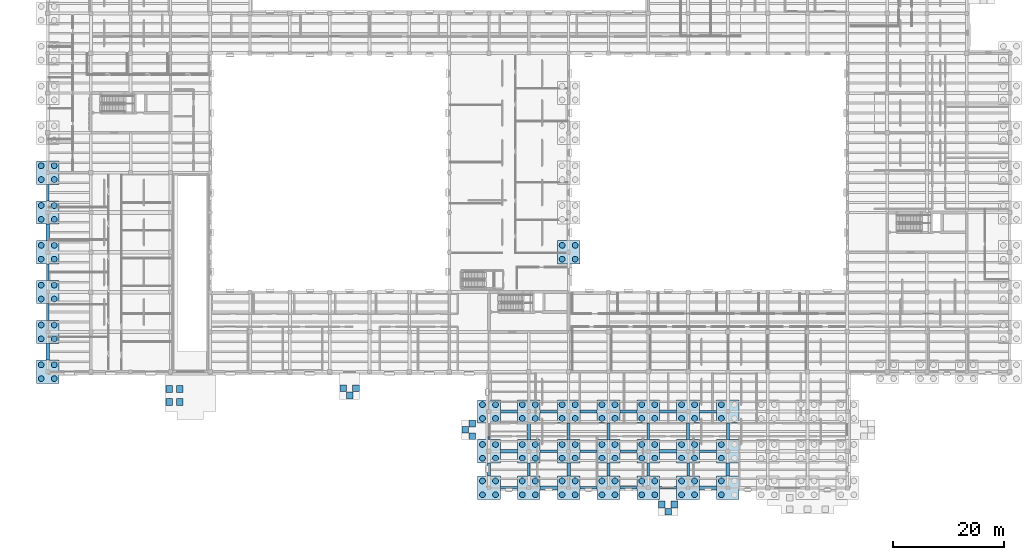
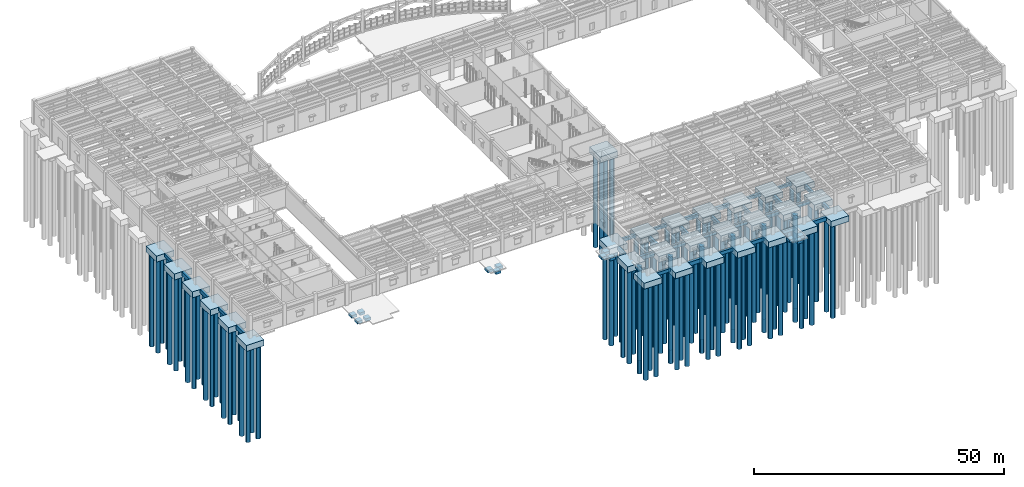
# One storey, part 1 of 100: 106 piles, 78 footings.
"""IFC4 building model written with IfcOpenShell, lengths in metres."""

import ifcopenshell
import ifcopenshell.guid

model = None  # the IFC model being written
_history = None  # IfcOwnerHistory: only IFC2X3 demands one
_inside = {}  # id of a spatial element -> (the spatial element, [elements in it])
_under = {}  # id of a project, library or spatial element -> (it, [spatial elements below it])
_declared = {}  # id of a project -> (the project, [libraries it declares])
_typed = {}  # id of a type object -> (the type object, [elements of that type])
_made_of = {}  # id of a material, layer set ... -> (it, [elements and type objects made of it])


def new_model(schema):
    """Start an empty IFC model of exactly this schema.

    Asked for "IFC4X3", IfcOpenShell would pick the latest addendum, in which some entities
    have other attributes; the version numbers below select the first issue.
    IFC2X3 requires an IfcOwnerHistory on every rooted entity: one is made here for all.
    """
    global model, _history
    if schema == "IFC4X3":
        model = ifcopenshell.file(schema_version=(4, 3, 0, 0))
    else:
        model = ifcopenshell.file(schema=schema)
    _inside.clear()
    _under.clear()
    _declared.clear()
    _typed.clear()
    _made_of.clear()
    _history = None
    if model.schema == "IFC2X3":
        org = make("IfcOrganization", Name="unknown")
        user = make(
            "IfcPersonAndOrganization",
            ThePerson=make("IfcPerson", FamilyName="unknown"),
            TheOrganization=org,
        )
        app = make(
            "IfcApplication",
            ApplicationDeveloper=org,
            Version="unknown",
            ApplicationFullName="unknown",
            ApplicationIdentifier="unknown",
        )
        _history = make(
            "IfcOwnerHistory",
            OwningUser=user,
            OwningApplication=app,
            ChangeAction="ADDED",
            CreationDate=0,
        )
    return model


def make(cls, **values):
    """One entity of the class cls with the attributes given. An attribute that is None is left unset."""
    return model.create_entity(
        cls, **{name: value for name, value in values.items() if value is not None}
    )


def rooted(cls, **values):
    """An entity with a GlobalId (a new one), such as an element, a storey or a relation."""
    return make(cls, GlobalId=ifcopenshell.guid.new(), OwnerHistory=_history, **values)


def si_unit(unit_type, name, prefix=None):
    """IfcSIUnit, for example si_unit("LENGTHUNIT", "METRE", prefix="MILLI")."""
    return make("IfcSIUnit", UnitType=unit_type, Prefix=prefix, Name=name)


def assignment(units):
    """IfcUnitAssignment: the units of a project."""
    return None if units is None else make("IfcUnitAssignment", Units=units)


def point(xyz):
    """IfcCartesianPoint."""
    return None if xyz is None else make("IfcCartesianPoint", Coordinates=xyz)


def direction(xyz):
    """IfcDirection."""
    return None if xyz is None else make("IfcDirection", DirectionRatios=xyz)


def frame(location, z_axis=None, x_axis=None):
    """IfcAxis2Placement3D, a coordinate frame: its origin and axes. An axis left out is left unset."""
    return make(
        "IfcAxis2Placement3D",
        Location=point(location),
        Axis=direction(z_axis),
        RefDirection=direction(x_axis),
    )


def frame_2d(location, x_axis=None):
    """IfcAxis2Placement2D, a coordinate frame in the plane: its origin and x axis."""
    return make(
        "IfcAxis2Placement2D", Location=point(location), RefDirection=direction(x_axis)
    )


def origin():
    """The frame at (0, 0, 0) with its axes left unset."""
    return frame((0.0, 0.0, 0.0))


def origin_2d():
    """The frame at (0, 0) in the plane with its x axis left unset."""
    return frame_2d((0.0, 0.0))


def place(relative_to, where):
    """IfcLocalPlacement: puts the frame where relative to a parent placement (None: the world)."""
    return make(
        "IfcLocalPlacement", PlacementRelTo=relative_to, RelativePlacement=where
    )


def context(
    kind, dimensions, precision=None, world=None, true_north=None, identifier=None
):
    """IfcGeometricRepresentationContext, for example the 3D "Model" context."""
    return make(
        "IfcGeometricRepresentationContext",
        ContextIdentifier=identifier,
        ContextType=kind,
        CoordinateSpaceDimension=dimensions,
        Precision=precision,
        WorldCoordinateSystem=world,
        TrueNorth=true_north,
    )


def subcontext(parent, identifier, kind, view, scale=None):
    """IfcGeometricRepresentationSubContext, for example "Body" below "Model"."""
    return make(
        "IfcGeometricRepresentationSubContext",
        ContextIdentifier=identifier,
        ContextType=kind,
        ParentContext=parent,
        TargetScale=scale,
        TargetView=view,
    )


def project(units=None, contexts=None):
    """IfcProject with its units and contexts."""
    return rooted(
        "IfcProject",
        Name="project",
        RepresentationContexts=contexts,
        UnitsInContext=assignment(units),
    )


def spatial(cls, under=None, at=None, **own):
    """A site, building, storey or space (cls), placed at a placement, below another one or the project."""
    s = rooted(cls, ObjectPlacement=at, **own)
    if under is not None:
        _under.setdefault(under.id(), (under, []))[1].append(s)
    return s


def profile(cls, at=None, kind="AREA", **sizes):
    """A parametric profile (cls). Its sizes go by their IFC names, for example OverallWidth=200.0."""
    return make(cls, ProfileType=kind, Position=at, **sizes)


def rectangle(**sizes):
    """IfcRectangleProfileDef."""
    return profile("IfcRectangleProfileDef", **sizes)


def circle(**sizes):
    """IfcCircleProfileDef."""
    return profile("IfcCircleProfileDef", **sizes)


def extrude(swept, where, along, depth):
    """IfcExtrudedAreaSolid: the profile swept, set in the frame where, extruded along a direction by depth."""
    return make(
        "IfcExtrudedAreaSolid",
        SweptArea=swept,
        Position=where,
        ExtrudedDirection=direction(along),
        Depth=depth,
    )


def shape(context_of_items, identifier, shape_type, items):
    """IfcShapeRepresentation: the items that make up one representation, for example the "Body"."""
    return make(
        "IfcShapeRepresentation",
        ContextOfItems=context_of_items,
        RepresentationIdentifier=identifier,
        RepresentationType=shape_type,
        Items=items,
    )


def material(Name=None, Category=None):
    """IfcMaterial."""
    return make("IfcMaterial", Name=Name, Category=Category)


def material_profile(
    of_material, cross_section, Name=None, Category=None, Priority=None
):
    """IfcMaterialProfile: a cross section and its material."""
    return make(
        "IfcMaterialProfile",
        Name=Name,
        Material=of_material,
        Profile=cross_section,
        Priority=Priority,
        Category=Category,
    )


def profile_set(profiles, Name=None, composite=None):
    """IfcMaterialProfileSet."""
    return make(
        "IfcMaterialProfileSet",
        Name=Name,
        MaterialProfiles=profiles,
        CompositeProfile=composite,
    )


def made_of(thing, what):
    """Note that an element or type object is made of a material, layer set ...; save() writes the relation."""
    if what is not None:
        _made_of.setdefault(what.id(), (what, []))[1].append(thing)
    return thing


def type_object(cls, material=None, **own):
    """A type object (cls), such as IfcWallType, which elements share."""
    return made_of(rooted(cls, **own), material)


def element(
    cls,
    number,
    at=None,
    inside=None,
    cuts=None,
    type_object=None,
    material=None,
    context=None,
    identifier="Body",
    shape_type=None,
    held_by="IfcProductDefinitionShape",
    body=None,
    shapes=None,
    **own,
):
    """One element of the class cls, such as IfcWall. Its Tag is "e" and its number.

    at: its placement. inside: the storey or other place that contains it. cuts: it is an
    opening in that element (IfcRelVoidsElement). A single representation is given by context,
    identifier, shape_type and body (its items); several are given by shapes. held_by: the class
    of the entity that holds the representations. save() writes the other relations.
    """
    e = rooted(cls, Tag="e%d" % number, ObjectPlacement=at, **own)
    if body is not None:
        shapes = [shape(context, identifier, shape_type, body)]
    if shapes is not None:
        e.Representation = make(held_by, Representations=shapes)
    if inside is not None:
        _inside.setdefault(inside.id(), (inside, []))[1].append(e)
    if cuts is not None:
        rooted(
            "IfcRelVoidsElement", RelatingBuildingElement=cuts, RelatedOpeningElement=e
        )
    if type_object is not None:
        _typed.setdefault(type_object.id(), (type_object, []))[1].append(e)
    return made_of(e, material)


def aggregate(whole, parts):
    """IfcRelAggregates: a whole, such as a stair, and the parts it consists of."""
    return rooted("IfcRelAggregates", RelatingObject=whole, RelatedObjects=parts)


def save(model, path):
    """Write the relations noted so far, then the file.

    IfcRelAggregates (storeys below a building ...), IfcRelContainedInSpatialStructure (elements
    in a storey), IfcRelDefinesByType, IfcRelAssociatesMaterial and IfcRelDeclares: one each for
    every whole, place, type object, material and project.
    """
    for whole, parts in _under.values():
        aggregate(whole, parts)
    for where, things in _inside.values():
        rooted(
            "IfcRelContainedInSpatialStructure",
            RelatedElements=things,
            RelatingStructure=where,
        )
    for kind, things in _typed.values():
        rooted("IfcRelDefinesByType", RelatedObjects=things, RelatingType=kind)
    for what, things in _made_of.values():
        rooted("IfcRelAssociatesMaterial", RelatedObjects=things, RelatingMaterial=what)
    for by, libraries in _declared.values():
        rooted("IfcRelDeclares", RelatingContext=by, RelatedDefinitions=libraries)
    model.write(path)


model = new_model("IFC4")

# Units and contexts
model_context = context("Model", 3, precision=1e-05, world=origin(), true_north=direction((0.0, 1.0)))
body_context = subcontext(model_context, "Body", "Model", "MODEL_VIEW")
ifc_project = project(units=[si_unit("LENGTHUNIT", "METRE"), si_unit("AREAUNIT", "SQUARE_METRE"), si_unit("VOLUMEUNIT", "CUBIC_METRE"), si_unit("PLANEANGLEUNIT", "RADIAN"), si_unit("MASSUNIT", "GRAM", prefix="KILO")], contexts=[model_context])

# Site, building, storey
site_placement = place(None, origin())
site = spatial("IfcSite", under=ifc_project, at=site_placement, CompositionType="ELEMENT")
building_placement = place(site_placement, origin())
building = spatial("IfcBuilding", under=site, at=building_placement, Name="Mithqara Police Headquarters", CompositionType="ELEMENT")
storey_placement = place(building_placement, origin())
storey = spatial("IfcBuildingStorey", under=building, at=storey_placement, Name="L00", CompositionType="ELEMENT", Elevation=0.0)

# Footings
ifc_material = material(Name="Concrete C40/50", Category="concrete")
footing_type_1 = type_object("IfcFootingType", Name="GROUND BEAM 450X750", PredefinedType="FOOTING_BEAM", material=ifc_material)
for number, where, z_axis, x_axis, name in (
    (1, (0.0, 31.800048828125, -1.070068359375), (0.0, 0.0, 1.0), (1.0, 0.0, 0.0), "L00 Ground Tie Beam 1/E-F"),
    (2, (0.0, 53.39990234375, -1.070068359375), (0.0, 0.0, 1.0), (1.0, 0.0, 0.0), "L00 Ground Tie Beam 1/H-J"),
):
    element("IfcFooting", number, at=place(storey_placement, frame(where, z_axis=z_axis, x_axis=x_axis)), inside=storey, type_object=footing_type_1, Name=name, PredefinedType="FOOTING_BEAM", context=body_context, shape_type="SweptSolid", body=[
        extrude(rectangle(XDim=0.449951171875, YDim=3.0, at=origin_2d()), origin(), (0.0, 0.0, 1.0), 0.75),
    ])
footing_1_placement = place(storey_placement, frame((83.39990234375, 0.0, -1.070068359375), z_axis=(0.0, 0.0, 1.0), x_axis=(1.0, 0.0, 0.0)))
element("IfcFooting", 3, at=footing_1_placement, inside=storey, type_object=footing_type_1, Name="L00 Ground Tie Beam 12-13/A", PredefinedType="FOOTING_BEAM", context=body_context, shape_type="SweptSolid", body=[
    extrude(rectangle(XDim=3.10009765625, YDim=0.449951171875, at=origin_2d()), origin(), (0.0, 0.0, 1.0), 0.75),
])
footing_2_placement = place(storey_placement, frame((79.800048828125, 10.199951171875, -1.070068359375), z_axis=(0.0, 0.0, 1.0), x_axis=(1.0, 0.0, 0.0)))
element("IfcFooting", 4, at=footing_2_placement, inside=storey, type_object=footing_type_1, Name="L00 Ground Tie Beam 12/B-C", PredefinedType="FOOTING_BEAM", context=body_context, shape_type="SweptSolid", body=[
    extrude(rectangle(XDim=0.449951171875, YDim=3.0, at=origin_2d()), origin(), (0.0, 0.0, 1.0), 0.75),
])
footing_3_placement = place(storey_placement, frame((87.0, 3.300048828125, -1.070068359375), z_axis=(0.0, 0.0, 1.0), x_axis=(1.0, 0.0, 0.0)))
element("IfcFooting", 5, at=footing_3_placement, inside=storey, type_object=footing_type_1, Name="L00 Ground Tie Beam 13/A-B", PredefinedType="FOOTING_BEAM", context=body_context, shape_type="SweptSolid", body=[
    extrude(rectangle(XDim=0.449951171875, YDim=2.39990234375, at=origin_2d()), origin(), (0.0, 0.0, 1.0), 0.75),
])
for number, where, z_axis, x_axis, name in (
    (6, (90.60009765625, 13.800048828125, -1.070068359375), (0.0, 0.0, 1.0), (1.0, 0.0, 0.0), "L00 Ground Tie Beam 13-14/C"),
    (7, (97.800048828125, 6.60009765625, -1.070068359375), (0.0, 0.0, 1.0), (1.0, 0.0, 0.0), "L00 Ground Tie Beam 14-15/B"),
    (8, (105.0, 6.60009765625, -1.070068359375), (0.0, 0.0, 1.0), (1.0, 0.0, 0.0), "L00 Ground Tie Beam 15-16/B"),
    (9, (112.199951171875, 0.0, -1.070068359375), (0.0, 0.0, 1.0), (1.0, 0.0, 0.0), "L00 Ground Tie Beam 16-17/A"),
):
    element("IfcFooting", number, at=place(storey_placement, frame(where, z_axis=z_axis, x_axis=x_axis)), inside=storey, type_object=footing_type_1, Name=name, PredefinedType="FOOTING_BEAM", context=body_context, shape_type="SweptSolid", body=[
        extrude(rectangle(XDim=3.10009765625, YDim=0.449951171875, at=origin_2d()), origin(), (0.0, 0.0, 1.0), 0.75),
    ])
footing_4_placement = place(storey_placement, frame((108.60009765625, 10.199951171875, -1.070068359375), z_axis=(0.0, 0.0, 1.0), x_axis=(1.0, 0.0, 0.0)))
element("IfcFooting", 10, at=footing_4_placement, inside=storey, type_object=footing_type_1, Name="L00 Ground Tie Beam 16/B-C", PredefinedType="FOOTING_BEAM", context=body_context, shape_type="SweptSolid", body=[
    extrude(rectangle(XDim=0.449951171875, YDim=3.0, at=origin_2d()), origin(), (0.0, 0.0, 1.0), 0.75),
])
footing_5_placement = place(storey_placement, frame((115.800048828125, 3.300048828125, -1.070068359375), z_axis=(0.0, 0.0, 1.0), x_axis=(1.0, 0.0, 0.0)))
element("IfcFooting", 11, at=footing_5_placement, inside=storey, type_object=footing_type_1, Name="L00 Ground Tie Beam 17/A-B", PredefinedType="FOOTING_BEAM", context=body_context, shape_type="SweptSolid", body=[
    extrude(rectangle(XDim=0.449951171875, YDim=2.39990234375, at=origin_2d()), origin(), (0.0, 0.0, 1.0), 0.75),
])
footing_6_placement = place(storey_placement, frame((119.39990234375, 13.800048828125, -1.070068359375), z_axis=(0.0, 0.0, 1.0), x_axis=(1.0, 0.0, 0.0)))
element("IfcFooting", 12, at=footing_6_placement, inside=storey, type_object=footing_type_1, Name="L00 Ground Tie Beam 17-18/C", PredefinedType="FOOTING_BEAM", context=body_context, shape_type="SweptSolid", body=[
    extrude(rectangle(XDim=3.10009765625, YDim=0.449951171875, at=origin_2d()), origin(), (0.0, 0.0, 1.0), 0.75),
])
footing_type_2 = type_object("IfcFootingType", Name="GROUND BEAM 500X850", PredefinedType="FOOTING_BEAM", material=ifc_material)
footing_7_placement = place(storey_placement, frame((0.0, 39.0, -1.170166015625), z_axis=(0.0, 0.0, 1.0), x_axis=(1.0, 0.0, 0.0)))
element("IfcFooting", 13, at=footing_7_placement, inside=storey, type_object=footing_type_2, Name="L00 Ground Tie Beam 1/F-G", PredefinedType="FOOTING_BEAM", context=body_context, shape_type="SweptSolid", body=[
    extrude(rectangle(XDim=0.5, YDim=3.0, at=origin_2d()), origin(), (0.0, 0.0, 1.0), 0.85009765625),
])
footing_8_placement = place(storey_placement, frame((79.800048828125, 3.300048828125, -1.170166015625), z_axis=(0.0, 0.0, 1.0), x_axis=(1.0, 0.0, 0.0)))
element("IfcFooting", 14, at=footing_8_placement, inside=storey, type_object=footing_type_2, Name="L00 Ground Tie Beam 12/A-B", PredefinedType="FOOTING_BEAM", context=body_context, shape_type="SweptSolid", body=[
    extrude(rectangle(XDim=0.5, YDim=2.39990234375, at=origin_2d()), origin(), (0.0, 0.0, 1.0), 0.85009765625),
])
for number, where, z_axis, x_axis, name in (
    (15, (83.39990234375, 13.800048828125, -1.170166015625), (0.0, 0.0, 1.0), (1.0, 0.0, 0.0), "L00 Ground Tie Beam 12-13/C"),
    (16, (90.60009765625, 6.60009765625, -1.170166015625), (0.0, 0.0, 1.0), (1.0, 0.0, 0.0), "L00 Ground Tie Beam 13-14/B"),
    (17, (97.800048828125, 0.0, -1.170166015625), (0.0, 0.0, 1.0), (1.0, 0.0, 0.0), "L00 Ground Tie Beam 14-15/A"),
):
    element("IfcFooting", number, at=place(storey_placement, frame(where, z_axis=z_axis, x_axis=x_axis)), inside=storey, type_object=footing_type_2, Name=name, PredefinedType="FOOTING_BEAM", context=body_context, shape_type="SweptSolid", body=[
        extrude(rectangle(XDim=3.10009765625, YDim=0.5, at=origin_2d()), origin(), (0.0, 0.0, 1.0), 0.85009765625),
    ])
footing_9_placement = place(storey_placement, frame((94.199951171875, 10.199951171875, -1.170166015625), z_axis=(0.0, 0.0, 1.0), x_axis=(1.0, 0.0, 0.0)))
element("IfcFooting", 18, at=footing_9_placement, inside=storey, type_object=footing_type_2, Name="L00 Ground Tie Beam 14/B-C", PredefinedType="FOOTING_BEAM", context=body_context, shape_type="SweptSolid", body=[
    extrude(rectangle(XDim=0.5, YDim=3.0, at=origin_2d()), origin(), (0.0, 0.0, 1.0), 0.85009765625),
])
footing_10_placement = place(storey_placement, frame((105.0, 0.0, -1.170166015625), z_axis=(0.0, 0.0, 1.0), x_axis=(1.0, 0.0, 0.0)))
element("IfcFooting", 19, at=footing_10_placement, inside=storey, type_object=footing_type_2, Name="L00 Ground Tie Beam 15-16/A", PredefinedType="FOOTING_BEAM", context=body_context, shape_type="SweptSolid", body=[
    extrude(rectangle(XDim=3.10009765625, YDim=0.5, at=origin_2d()), origin(), (0.0, 0.0, 1.0), 0.85009765625),
])
footing_11_placement = place(storey_placement, frame((101.39990234375, 10.199951171875, -1.170166015625), z_axis=(0.0, 0.0, 1.0), x_axis=(1.0, 0.0, 0.0)))
element("IfcFooting", 20, at=footing_11_placement, inside=storey, type_object=footing_type_2, Name="L00 Ground Tie Beam 15/B-C", PredefinedType="FOOTING_BEAM", context=body_context, shape_type="SweptSolid", body=[
    extrude(rectangle(XDim=0.5, YDim=3.0, at=origin_2d()), origin(), (0.0, 0.0, 1.0), 0.85009765625),
])
footing_12_placement = place(storey_placement, frame((108.60009765625, 3.300048828125, -1.170166015625), z_axis=(0.0, 0.0, 1.0), x_axis=(1.0, 0.0, 0.0)))
element("IfcFooting", 21, at=footing_12_placement, inside=storey, type_object=footing_type_2, Name="L00 Ground Tie Beam 16/A-B", PredefinedType="FOOTING_BEAM", context=body_context, shape_type="SweptSolid", body=[
    extrude(rectangle(XDim=0.5, YDim=2.39990234375, at=origin_2d()), origin(), (0.0, 0.0, 1.0), 0.85009765625),
])
for number, where, z_axis, x_axis, name in (
    (22, (112.199951171875, 13.800048828125, -1.170166015625), (0.0, 0.0, 1.0), (1.0, 0.0, 0.0), "L00 Ground Tie Beam 16-17/C"),
    (23, (119.39990234375, 6.60009765625, -1.170166015625), (0.0, 0.0, 1.0), (1.0, 0.0, 0.0), "L00 Ground Tie Beam 17-18/B"),
):
    element("IfcFooting", number, at=place(storey_placement, frame(where, z_axis=z_axis, x_axis=x_axis)), inside=storey, type_object=footing_type_2, Name=name, PredefinedType="FOOTING_BEAM", context=body_context, shape_type="SweptSolid", body=[
        extrude(rectangle(XDim=3.10009765625, YDim=0.5, at=origin_2d()), origin(), (0.0, 0.0, 1.0), 0.85009765625),
    ])
footing_13_placement = place(storey_placement, frame((123.0, 10.199951171875, -1.170166015625), z_axis=(0.0, 0.0, 1.0), x_axis=(1.0, 0.0, 0.0)))
element("IfcFooting", 24, at=footing_13_placement, inside=storey, type_object=footing_type_2, Name="L00 Ground Tie Beam 18/B-C", PredefinedType="FOOTING_BEAM", context=body_context, shape_type="SweptSolid", body=[
    extrude(rectangle(XDim=0.5, YDim=3.0, at=origin_2d()), origin(), (0.0, 0.0, 1.0), 0.85009765625),
])
footing_type_3 = type_object("IfcFootingType", Name="GROUND BEAM 600X950", PredefinedType="FOOTING_BEAM", material=ifc_material)
for number, where, z_axis, x_axis, name in (
    (25, (0.0, 24.60009765625, -1.27001953125), (0.0, 0.0, 1.0), (1.0, 0.0, 0.0), "L00 Ground Tie Beam 1/D-E"),
    (26, (0.0, 46.199951171875, -1.27001953125), (0.0, 0.0, 1.0), (1.0, 0.0, 0.0), "L00 Ground Tie Beam 1/G-H"),
):
    element("IfcFooting", number, at=place(storey_placement, frame(where, z_axis=z_axis, x_axis=x_axis)), inside=storey, type_object=footing_type_3, Name=name, PredefinedType="FOOTING_BEAM", context=body_context, shape_type="SweptSolid", body=[
        extrude(rectangle(XDim=0.60009765625, YDim=3.0, at=origin_2d()), origin(), (0.0, 0.0, 1.0), 0.949951171875),
    ])
for number, where, z_axis, x_axis, name in (
    (27, (83.39990234375, 6.60009765625, -1.27001953125), (0.0, 0.0, 1.0), (1.0, 0.0, 0.0), "L00 Ground Tie Beam 12-13/B"),
    (28, (90.60009765625, 0.0, -1.27001953125), (0.0, 0.0, 1.0), (1.0, 0.0, 0.0), "L00 Ground Tie Beam 13-14/A"),
):
    element("IfcFooting", number, at=place(storey_placement, frame(where, z_axis=z_axis, x_axis=x_axis)), inside=storey, type_object=footing_type_3, Name=name, PredefinedType="FOOTING_BEAM", context=body_context, shape_type="SweptSolid", body=[
        extrude(rectangle(XDim=3.10009765625, YDim=0.60009765625, at=origin_2d()), origin(), (0.0, 0.0, 1.0), 0.949951171875),
    ])
footing_14_placement = place(storey_placement, frame((87.0, 10.199951171875, -1.27001953125), z_axis=(0.0, 0.0, 1.0), x_axis=(1.0, 0.0, 0.0)))
element("IfcFooting", 29, at=footing_14_placement, inside=storey, type_object=footing_type_3, Name="L00 Ground Tie Beam 13/B-C", PredefinedType="FOOTING_BEAM", context=body_context, shape_type="SweptSolid", body=[
    extrude(rectangle(XDim=0.60009765625, YDim=3.0, at=origin_2d()), origin(), (0.0, 0.0, 1.0), 0.949951171875),
])
footing_15_placement = place(storey_placement, frame((94.199951171875, 3.300048828125, -1.27001953125), z_axis=(0.0, 0.0, 1.0), x_axis=(1.0, 0.0, 0.0)))
element("IfcFooting", 30, at=footing_15_placement, inside=storey, type_object=footing_type_3, Name="L00 Ground Tie Beam 14/A-B", PredefinedType="FOOTING_BEAM", context=body_context, shape_type="SweptSolid", body=[
    extrude(rectangle(XDim=0.60009765625, YDim=2.39990234375, at=origin_2d()), origin(), (0.0, 0.0, 1.0), 0.949951171875),
])
footing_16_placement = place(storey_placement, frame((97.800048828125, 13.800048828125, -1.27001953125), z_axis=(0.0, 0.0, 1.0), x_axis=(1.0, 0.0, 0.0)))
element("IfcFooting", 31, at=footing_16_placement, inside=storey, type_object=footing_type_3, Name="L00 Ground Tie Beam 14-15/C", PredefinedType="FOOTING_BEAM", context=body_context, shape_type="SweptSolid", body=[
    extrude(rectangle(XDim=3.10009765625, YDim=0.60009765625, at=origin_2d()), origin(), (0.0, 0.0, 1.0), 0.949951171875),
])
footing_17_placement = place(storey_placement, frame((101.39990234375, 3.300048828125, -1.27001953125), z_axis=(0.0, 0.0, 1.0), x_axis=(1.0, 0.0, 0.0)))
element("IfcFooting", 32, at=footing_17_placement, inside=storey, type_object=footing_type_3, Name="L00 Ground Tie Beam 15/A-B", PredefinedType="FOOTING_BEAM", context=body_context, shape_type="SweptSolid", body=[
    extrude(rectangle(XDim=0.60009765625, YDim=2.39990234375, at=origin_2d()), origin(), (0.0, 0.0, 1.0), 0.949951171875),
])
for number, where, z_axis, x_axis, name in (
    (33, (105.0, 13.800048828125, -1.27001953125), (0.0, 0.0, 1.0), (1.0, 0.0, 0.0), "L00 Ground Tie Beam 15-16/C"),
    (34, (112.199951171875, 6.60009765625, -1.27001953125), (0.0, 0.0, 1.0), (1.0, 0.0, 0.0), "L00 Ground Tie Beam 16-17/B"),
    (35, (119.39990234375, 0.0, -1.27001953125), (0.0, 0.0, 1.0), (1.0, 0.0, 0.0), "L00 Ground Tie Beam 17-18/A"),
):
    element("IfcFooting", number, at=place(storey_placement, frame(where, z_axis=z_axis, x_axis=x_axis)), inside=storey, type_object=footing_type_3, Name=name, PredefinedType="FOOTING_BEAM", context=body_context, shape_type="SweptSolid", body=[
        extrude(rectangle(XDim=3.10009765625, YDim=0.60009765625, at=origin_2d()), origin(), (0.0, 0.0, 1.0), 0.949951171875),
    ])
footing_18_placement = place(storey_placement, frame((115.800048828125, 10.199951171875, -1.27001953125), z_axis=(0.0, 0.0, 1.0), x_axis=(1.0, 0.0, 0.0)))
element("IfcFooting", 36, at=footing_18_placement, inside=storey, type_object=footing_type_3, Name="L00 Ground Tie Beam 17/B-C", PredefinedType="FOOTING_BEAM", context=body_context, shape_type="SweptSolid", body=[
    extrude(rectangle(XDim=0.60009765625, YDim=3.0, at=origin_2d()), origin(), (0.0, 0.0, 1.0), 0.949951171875),
])
footing_19_placement = place(storey_placement, frame((123.0, 3.300048828125, -1.27001953125), z_axis=(0.0, 0.0, 1.0), x_axis=(1.0, 0.0, 0.0)))
element("IfcFooting", 37, at=footing_19_placement, inside=storey, type_object=footing_type_3, Name="L00 Ground Tie Beam 18/A-B", PredefinedType="FOOTING_BEAM", context=body_context, shape_type="SweptSolid", body=[
    extrude(rectangle(XDim=0.60009765625, YDim=2.39990234375, at=origin_2d()), origin(), (0.0, 0.0, 1.0), 0.949951171875),
])
footing_type_4 = type_object("IfcFootingType", Name="PAD FOOTING 1200X1200X650", PredefinedType="PAD_FOOTING", material=ifc_material)
for number, where, z_axis, x_axis, name in (
    (38, (21.949951171875, 15.5166015625, -0.909912109375), (0.0, 0.0, 1.0), (1.0, 0.0, 0.0), "Patrol Ramp Driveway Apron Support Pad 1"),
    (39, (21.949951171875, 17.88330078125, -0.909912109375), (0.0, 0.0, 1.0), (1.0, 0.0, 0.0), "Patrol Ramp Driveway Apron Support Pad 2"),
    (40, (23.875, 15.5166015625, -0.909912109375), (0.0, 0.0, 1.0), (1.0, 0.0, 0.0), "Patrol Ramp Driveway Apron Support Pad 3"),
    (41, (23.875, 17.88330078125, -0.909912109375), (0.0, 0.0, 1.0), (1.0, 0.0, 0.0), "Patrol Ramp Driveway Apron Support Pad 4"),
    (42, (76.7900390625, 11.64990234375, -0.909912109375), (0.0, 0.0, 1.0), (1.0, 0.0, 0.0), "Ground Exit Threshold Footing 1-1"),
    (43, (76.7900390625, 9.35009765625, -0.909912109375), (0.0, 0.0, 1.0), (1.0, 0.0, 0.0), "Ground Exit Threshold Footing 1-2"),
    (44, (75.489990234375, 10.5, -0.909912109375), (0.0, 0.0, 1.0), (1.0, 0.0, 0.0), "Ground Exit Threshold Footing 1-3"),
    (45, (111.050048828125, -3.010009765625, -0.909912109375), (0.0, 0.0, 1.0), (1.0, 0.0, 0.0), "Ground Exit Threshold Footing 2-1"),
    (46, (113.35009765625, -3.010009765625, -0.909912109375), (0.0, 0.0, 1.0), (1.0, 0.0, 0.0), "Ground Exit Threshold Footing 2-2"),
    (47, (112.199951171875, -4.31005859375, -0.909912109375), (0.0, 0.0, 1.0), (1.0, 0.0, 0.0), "Ground Exit Threshold Footing 2-3"),
    (48, (53.449951171875, 17.989990234375, -0.909912109375), (0.0, 0.0, 1.0), (1.0, 0.0, 0.0), "Ground Exit Threshold Footing 9-1"),
    (49, (55.75, 17.989990234375, -0.909912109375), (0.0, 0.0, 1.0), (1.0, 0.0, 0.0), "Ground Exit Threshold Footing 9-2"),
    (50, (54.60009765625, 16.68994140625, -0.909912109375), (0.0, 0.0, 1.0), (1.0, 0.0, 0.0), "Ground Exit Threshold Footing 9-3"),
):
    element("IfcFooting", number, at=place(storey_placement, frame(where, z_axis=z_axis, x_axis=x_axis)), inside=storey, type_object=footing_type_4, Name=name, PredefinedType="PAD_FOOTING", context=body_context, shape_type="SweptSolid", body=[
        extrude(rectangle(XDim=1.199951171875, YDim=1.199951171875, at=origin_2d()), origin(), (0.0, 0.0, 1.0), 0.64990234375),
    ])
footing_type_5 = type_object("IfcFootingType", Name="PILE CAP 4P 3800X4200X1450", PredefinedType="PILE_CAP", material=ifc_material)
for number, where, z_axis, x_axis, name in (
    (51, (0.0, 21.0, -1.77001953125), (0.0, 0.0, 1.0), (1.0, 0.0, 0.0), "L00 Pile Cap 1/D"),
    (52, (0.0, 28.199951171875, -1.77001953125), (0.0, 0.0, 1.0), (1.0, 0.0, 0.0), "L00 Pile Cap 1/E"),
    (53, (0.0, 35.39990234375, -1.77001953125), (0.0, 0.0, 1.0), (1.0, 0.0, 0.0), "L00 Pile Cap 1/F"),
    (54, (0.0, 42.60009765625, -1.77001953125), (0.0, 0.0, 1.0), (1.0, 0.0, 0.0), "L00 Pile Cap 1/G"),
    (55, (0.0, 49.800048828125, -1.77001953125), (0.0, 0.0, 1.0), (1.0, 0.0, 0.0), "L00 Pile Cap 1/H"),
    (56, (0.0, 57.0, -1.77001953125), (0.0, 0.0, 1.0), (1.0, 0.0, 0.0), "L00 Pile Cap 1/J"),
    (57, (79.800048828125, 0.0, -1.77001953125), (0.0, 0.0, 1.0), (1.0, 0.0, 0.0), "L00 Pile Cap 12/A"),
    (58, (79.800048828125, 6.60009765625, -1.77001953125), (0.0, 0.0, 1.0), (1.0, 0.0, 0.0), "L00 Pile Cap 12/B"),
    (59, (79.800048828125, 13.800048828125, -1.77001953125), (0.0, 0.0, 1.0), (1.0, 0.0, 0.0), "L00 Pile Cap 12/C"),
    (60, (87.0, 0.0, -1.77001953125), (0.0, 0.0, 1.0), (1.0, 0.0, 0.0), "L00 Pile Cap 13/A"),
    (61, (87.0, 6.60009765625, -1.77001953125), (0.0, 0.0, 1.0), (1.0, 0.0, 0.0), "L00 Pile Cap 13/B"),
    (62, (87.0, 13.800048828125, -1.77001953125), (0.0, 0.0, 1.0), (1.0, 0.0, 0.0), "L00 Pile Cap 13/C"),
    (63, (94.199951171875, 0.0, -1.77001953125), (0.0, 0.0, 1.0), (1.0, 0.0, 0.0), "L00 Pile Cap 14/A"),
    (64, (94.199951171875, 6.60009765625, -1.77001953125), (0.0, 0.0, 1.0), (1.0, 0.0, 0.0), "L00 Pile Cap 14/B"),
    (65, (94.199951171875, 13.800048828125, -1.77001953125), (0.0, 0.0, 1.0), (1.0, 0.0, 0.0), "L00 Pile Cap 14/C"),
    (66, (94.199951171875, 42.60009765625, -1.77001953125), (0.0, 0.0, 1.0), (1.0, 0.0, 0.0), "L00 Pile Cap 14/G"),
    (67, (101.39990234375, 0.0, -1.77001953125), (0.0, 0.0, 1.0), (1.0, 0.0, 0.0), "L00 Pile Cap 15/A"),
    (68, (101.39990234375, 6.60009765625, -1.77001953125), (0.0, 0.0, 1.0), (1.0, 0.0, 0.0), "L00 Pile Cap 15/B"),
    (69, (101.39990234375, 13.800048828125, -1.77001953125), (0.0, 0.0, 1.0), (1.0, 0.0, 0.0), "L00 Pile Cap 15/C"),
    (70, (108.60009765625, 0.0, -1.77001953125), (0.0, 0.0, 1.0), (1.0, 0.0, 0.0), "L00 Pile Cap 16/A"),
    (71, (108.60009765625, 6.60009765625, -1.77001953125), (0.0, 0.0, 1.0), (1.0, 0.0, 0.0), "L00 Pile Cap 16/B"),
    (72, (108.60009765625, 13.800048828125, -1.77001953125), (0.0, 0.0, 1.0), (1.0, 0.0, 0.0), "L00 Pile Cap 16/C"),
    (73, (115.800048828125, 0.0, -1.77001953125), (0.0, 0.0, 1.0), (1.0, 0.0, 0.0), "L00 Pile Cap 17/A"),
    (74, (115.800048828125, 6.60009765625, -1.77001953125), (0.0, 0.0, 1.0), (1.0, 0.0, 0.0), "L00 Pile Cap 17/B"),
    (75, (115.800048828125, 13.800048828125, -1.77001953125), (0.0, 0.0, 1.0), (1.0, 0.0, 0.0), "L00 Pile Cap 17/C"),
    (76, (123.0, 0.0, -1.77001953125), (0.0, 0.0, 1.0), (1.0, 0.0, 0.0), "L00 Pile Cap 18/A"),
    (77, (123.0, 6.60009765625, -1.77001953125), (0.0, 0.0, 1.0), (1.0, 0.0, 0.0), "L00 Pile Cap 18/B"),
    (78, (123.0, 13.800048828125, -1.77001953125), (0.0, 0.0, 1.0), (1.0, 0.0, 0.0), "L00 Pile Cap 18/C"),
):
    element("IfcFooting", number, at=place(storey_placement, frame(where, z_axis=z_axis, x_axis=x_axis)), inside=storey, type_object=footing_type_5, Name=name, PredefinedType="PILE_CAP", context=body_context, shape_type="SweptSolid", body=[
        extrude(rectangle(XDim=4.10009765625, YDim=4.199951171875, at=origin_2d()), origin(), (0.0, 0.0, 1.0), 1.449951171875),
    ])

# Piles
ifc_material_profile = material_profile(ifc_material, circle(Radius=0.52490234375, at=origin_2d()), Name="PILE D1050")
ifc_profile_set = profile_set([ifc_material_profile], Name="Concrete C40/50")
pile_type = type_object("IfcPileType", Name="PILE D1050 22M", PredefinedType="BORED", material=ifc_profile_set)
for number, where, z_axis, x_axis, name in (
    (79, (-1.179931640625, 19.75, -1.6201171875), (0.0, 0.0, -1.0), (1.0, 0.0, 0.0), "Bored Pile 1/D-1"),
    (80, (1.179931640625, 19.75, -1.6201171875), (0.0, 0.0, -1.0), (1.0, 0.0, 0.0), "Bored Pile 1/D-2"),
    (81, (-1.179931640625, 22.25, -1.6201171875), (0.0, 0.0, -1.0), (1.0, 0.0, 0.0), "Bored Pile 1/D-3"),
    (82, (1.179931640625, 22.25, -1.6201171875), (0.0, 0.0, -1.0), (1.0, 0.0, 0.0), "Bored Pile 1/D-4"),
    (83, (-1.179931640625, 26.949951171875, -1.6201171875), (0.0, 0.0, -1.0), (1.0, 0.0, 0.0), "Bored Pile 1/E-1"),
    (84, (1.179931640625, 26.949951171875, -1.6201171875), (0.0, 0.0, -1.0), (1.0, 0.0, 0.0), "Bored Pile 1/E-2"),
    (85, (-1.179931640625, 29.449951171875, -1.6201171875), (0.0, 0.0, -1.0), (1.0, 0.0, 0.0), "Bored Pile 1/E-3"),
    (86, (1.179931640625, 29.449951171875, -1.6201171875), (0.0, 0.0, -1.0), (1.0, 0.0, 0.0), "Bored Pile 1/E-4"),
    (87, (-1.179931640625, 34.14990234375, -1.6201171875), (0.0, 0.0, -1.0), (1.0, 0.0, 0.0), "Bored Pile 1/F-1"),
    (88, (1.179931640625, 34.14990234375, -1.6201171875), (0.0, 0.0, -1.0), (1.0, 0.0, 0.0), "Bored Pile 1/F-2"),
    (89, (-1.179931640625, 36.64990234375, -1.6201171875), (0.0, 0.0, -1.0), (1.0, 0.0, 0.0), "Bored Pile 1/F-3"),
    (90, (1.179931640625, 36.64990234375, -1.6201171875), (0.0, 0.0, -1.0), (1.0, 0.0, 0.0), "Bored Pile 1/F-4"),
    (91, (-1.179931640625, 41.35009765625, -1.6201171875), (0.0, 0.0, -1.0), (1.0, 0.0, 0.0), "Bored Pile 1/G-1"),
    (92, (1.179931640625, 41.35009765625, -1.6201171875), (0.0, 0.0, -1.0), (1.0, 0.0, 0.0), "Bored Pile 1/G-2"),
    (93, (-1.179931640625, 43.85009765625, -1.6201171875), (0.0, 0.0, -1.0), (1.0, 0.0, 0.0), "Bored Pile 1/G-3"),
    (94, (1.179931640625, 43.85009765625, -1.6201171875), (0.0, 0.0, -1.0), (1.0, 0.0, 0.0), "Bored Pile 1/G-4"),
    (95, (-1.179931640625, 48.550048828125, -1.6201171875), (0.0, 0.0, -1.0), (1.0, 0.0, 0.0), "Bored Pile 1/H-1"),
    (96, (1.179931640625, 48.550048828125, -1.6201171875), (0.0, 0.0, -1.0), (1.0, 0.0, 0.0), "Bored Pile 1/H-2"),
    (97, (-1.179931640625, 51.050048828125, -1.6201171875), (0.0, 0.0, -1.0), (1.0, 0.0, 0.0), "Bored Pile 1/H-3"),
    (98, (1.179931640625, 51.050048828125, -1.6201171875), (0.0, 0.0, -1.0), (1.0, 0.0, 0.0), "Bored Pile 1/H-4"),
    (99, (-1.179931640625, 55.75, -1.6201171875), (0.0, 0.0, -1.0), (1.0, 0.0, 0.0), "Bored Pile 1/J-1"),
    (100, (1.179931640625, 55.75, -1.6201171875), (0.0, 0.0, -1.0), (1.0, 0.0, 0.0), "Bored Pile 1/J-2"),
    (101, (-1.179931640625, 58.25, -1.6201171875), (0.0, 0.0, -1.0), (1.0, 0.0, 0.0), "Bored Pile 1/J-3"),
    (102, (1.179931640625, 58.25, -1.6201171875), (0.0, 0.0, -1.0), (1.0, 0.0, 0.0), "Bored Pile 1/J-4"),
    (103, (78.6201171875, -1.25, -1.6201171875), (0.0, 0.0, -1.0), (1.0, 0.0, 0.0), "Bored Pile 12/A-1"),
    (104, (80.97998046875, -1.25, -1.6201171875), (0.0, 0.0, -1.0), (1.0, 0.0, 0.0), "Bored Pile 12/A-2"),
    (105, (78.6201171875, 1.25, -1.6201171875), (0.0, 0.0, -1.0), (1.0, 0.0, 0.0), "Bored Pile 12/A-3"),
    (106, (80.97998046875, 1.25, -1.6201171875), (0.0, 0.0, -1.0), (1.0, 0.0, 0.0), "Bored Pile 12/A-4"),
    (107, (78.6201171875, 5.35009765625, -1.6201171875), (0.0, 0.0, -1.0), (1.0, 0.0, 0.0), "Bored Pile 12/B-1"),
    (108, (80.97998046875, 5.35009765625, -1.6201171875), (0.0, 0.0, -1.0), (1.0, 0.0, 0.0), "Bored Pile 12/B-2"),
    (109, (78.6201171875, 7.85009765625, -1.6201171875), (0.0, 0.0, -1.0), (1.0, 0.0, 0.0), "Bored Pile 12/B-3"),
    (110, (80.97998046875, 7.85009765625, -1.6201171875), (0.0, 0.0, -1.0), (1.0, 0.0, 0.0), "Bored Pile 12/B-4"),
    (111, (78.6201171875, 12.550048828125, -1.6201171875), (0.0, 0.0, -1.0), (1.0, 0.0, 0.0), "Bored Pile 12/C-1"),
    (112, (80.97998046875, 12.550048828125, -1.6201171875), (0.0, 0.0, -1.0), (1.0, 0.0, 0.0), "Bored Pile 12/C-2"),
    (113, (78.6201171875, 15.050048828125, -1.6201171875), (0.0, 0.0, -1.0), (1.0, 0.0, 0.0), "Bored Pile 12/C-3"),
    (114, (80.97998046875, 15.050048828125, -1.6201171875), (0.0, 0.0, -1.0), (1.0, 0.0, 0.0), "Bored Pile 12/C-4"),
    (115, (85.820068359375, -1.25, -1.6201171875), (0.0, 0.0, -1.0), (1.0, 0.0, 0.0), "Bored Pile 13/A-1"),
    (116, (88.179931640625, -1.25, -1.6201171875), (0.0, 0.0, -1.0), (1.0, 0.0, 0.0), "Bored Pile 13/A-2"),
    (117, (85.820068359375, 1.25, -1.6201171875), (0.0, 0.0, -1.0), (1.0, 0.0, 0.0), "Bored Pile 13/A-3"),
    (118, (88.179931640625, 1.25, -1.6201171875), (0.0, 0.0, -1.0), (1.0, 0.0, 0.0), "Bored Pile 13/A-4"),
    (119, (85.820068359375, 5.35009765625, -1.6201171875), (0.0, 0.0, -1.0), (1.0, 0.0, 0.0), "Bored Pile 13/B-1"),
    (120, (88.179931640625, 5.35009765625, -1.6201171875), (0.0, 0.0, -1.0), (1.0, 0.0, 0.0), "Bored Pile 13/B-2"),
    (121, (85.820068359375, 7.85009765625, -1.6201171875), (0.0, 0.0, -1.0), (1.0, 0.0, 0.0), "Bored Pile 13/B-3"),
    (122, (88.179931640625, 7.85009765625, -1.6201171875), (0.0, 0.0, -1.0), (1.0, 0.0, 0.0), "Bored Pile 13/B-4"),
    (123, (85.820068359375, 12.550048828125, -1.6201171875), (0.0, 0.0, -1.0), (1.0, 0.0, 0.0), "Bored Pile 13/C-1"),
    (124, (88.179931640625, 12.550048828125, -1.6201171875), (0.0, 0.0, -1.0), (1.0, 0.0, 0.0), "Bored Pile 13/C-2"),
    (125, (85.820068359375, 15.050048828125, -1.6201171875), (0.0, 0.0, -1.0), (1.0, 0.0, 0.0), "Bored Pile 13/C-3"),
    (126, (88.179931640625, 15.050048828125, -1.6201171875), (0.0, 0.0, -1.0), (1.0, 0.0, 0.0), "Bored Pile 13/C-4"),
    (127, (93.02001953125, -1.25, -1.6201171875), (0.0, 0.0, -1.0), (1.0, 0.0, 0.0), "Bored Pile 14/A-1"),
    (128, (95.3798828125, -1.25, -1.6201171875), (0.0, 0.0, -1.0), (1.0, 0.0, 0.0), "Bored Pile 14/A-2"),
    (129, (93.02001953125, 1.25, -1.6201171875), (0.0, 0.0, -1.0), (1.0, 0.0, 0.0), "Bored Pile 14/A-3"),
    (130, (95.3798828125, 1.25, -1.6201171875), (0.0, 0.0, -1.0), (1.0, 0.0, 0.0), "Bored Pile 14/A-4"),
    (131, (93.02001953125, 5.35009765625, -1.6201171875), (0.0, 0.0, -1.0), (1.0, 0.0, 0.0), "Bored Pile 14/B-1"),
    (132, (95.3798828125, 5.35009765625, -1.6201171875), (0.0, 0.0, -1.0), (1.0, 0.0, 0.0), "Bored Pile 14/B-2"),
    (133, (93.02001953125, 7.85009765625, -1.6201171875), (0.0, 0.0, -1.0), (1.0, 0.0, 0.0), "Bored Pile 14/B-3"),
    (134, (95.3798828125, 7.85009765625, -1.6201171875), (0.0, 0.0, -1.0), (1.0, 0.0, 0.0), "Bored Pile 14/B-4"),
    (135, (93.02001953125, 12.550048828125, -1.6201171875), (0.0, 0.0, -1.0), (1.0, 0.0, 0.0), "Bored Pile 14/C-1"),
    (136, (95.3798828125, 12.550048828125, -1.6201171875), (0.0, 0.0, -1.0), (1.0, 0.0, 0.0), "Bored Pile 14/C-2"),
    (137, (93.02001953125, 15.050048828125, -1.6201171875), (0.0, 0.0, -1.0), (1.0, 0.0, 0.0), "Bored Pile 14/C-3"),
    (138, (95.3798828125, 15.050048828125, -1.6201171875), (0.0, 0.0, -1.0), (1.0, 0.0, 0.0), "Bored Pile 14/C-4"),
    (139, (93.02001953125, 41.35009765625, -1.6201171875), (0.0, 0.0, -1.0), (1.0, 0.0, 0.0), "Bored Pile 14/G-1"),
    (140, (95.3798828125, 41.35009765625, -1.6201171875), (0.0, 0.0, -1.0), (1.0, 0.0, 0.0), "Bored Pile 14/G-2"),
    (141, (93.02001953125, 43.85009765625, -1.6201171875), (0.0, 0.0, -1.0), (1.0, 0.0, 0.0), "Bored Pile 14/G-3"),
    (142, (95.3798828125, 43.85009765625, -1.6201171875), (0.0, 0.0, -1.0), (1.0, 0.0, 0.0), "Bored Pile 14/G-4"),
    (143, (100.219970703125, -1.25, -1.6201171875), (0.0, 0.0, -1.0), (1.0, 0.0, 0.0), "Bored Pile 15/A-1"),
    (144, (102.580078125, -1.25, -1.6201171875), (0.0, 0.0, -1.0), (1.0, 0.0, 0.0), "Bored Pile 15/A-2"),
    (145, (100.219970703125, 1.25, -1.6201171875), (0.0, 0.0, -1.0), (1.0, 0.0, 0.0), "Bored Pile 15/A-3"),
    (146, (102.580078125, 1.25, -1.6201171875), (0.0, 0.0, -1.0), (1.0, 0.0, 0.0), "Bored Pile 15/A-4"),
    (147, (100.219970703125, 5.35009765625, -1.6201171875), (0.0, 0.0, -1.0), (1.0, 0.0, 0.0), "Bored Pile 15/B-1"),
    (148, (102.580078125, 5.35009765625, -1.6201171875), (0.0, 0.0, -1.0), (1.0, 0.0, 0.0), "Bored Pile 15/B-2"),
    (149, (100.219970703125, 7.85009765625, -1.6201171875), (0.0, 0.0, -1.0), (1.0, 0.0, 0.0), "Bored Pile 15/B-3"),
    (150, (102.580078125, 7.85009765625, -1.6201171875), (0.0, 0.0, -1.0), (1.0, 0.0, 0.0), "Bored Pile 15/B-4"),
    (151, (100.219970703125, 12.550048828125, -1.6201171875), (0.0, 0.0, -1.0), (1.0, 0.0, 0.0), "Bored Pile 15/C-1"),
    (152, (102.580078125, 12.550048828125, -1.6201171875), (0.0, 0.0, -1.0), (1.0, 0.0, 0.0), "Bored Pile 15/C-2"),
    (153, (100.219970703125, 15.050048828125, -1.6201171875), (0.0, 0.0, -1.0), (1.0, 0.0, 0.0), "Bored Pile 15/C-3"),
    (154, (102.580078125, 15.050048828125, -1.6201171875), (0.0, 0.0, -1.0), (1.0, 0.0, 0.0), "Bored Pile 15/C-4"),
    (155, (107.419921875, -1.25, -1.6201171875), (0.0, 0.0, -1.0), (1.0, 0.0, 0.0), "Bored Pile 16/A-1"),
    (156, (109.780029296875, -1.25, -1.6201171875), (0.0, 0.0, -1.0), (1.0, 0.0, 0.0), "Bored Pile 16/A-2"),
    (157, (107.419921875, 1.25, -1.6201171875), (0.0, 0.0, -1.0), (1.0, 0.0, 0.0), "Bored Pile 16/A-3"),
    (158, (109.780029296875, 1.25, -1.6201171875), (0.0, 0.0, -1.0), (1.0, 0.0, 0.0), "Bored Pile 16/A-4"),
    (159, (107.419921875, 5.35009765625, -1.6201171875), (0.0, 0.0, -1.0), (1.0, 0.0, 0.0), "Bored Pile 16/B-1"),
    (160, (109.780029296875, 5.35009765625, -1.6201171875), (0.0, 0.0, -1.0), (1.0, 0.0, 0.0), "Bored Pile 16/B-2"),
    (161, (107.419921875, 7.85009765625, -1.6201171875), (0.0, 0.0, -1.0), (1.0, 0.0, 0.0), "Bored Pile 16/B-3"),
    (162, (109.780029296875, 7.85009765625, -1.6201171875), (0.0, 0.0, -1.0), (1.0, 0.0, 0.0), "Bored Pile 16/B-4"),
    (163, (107.419921875, 12.550048828125, -1.6201171875), (0.0, 0.0, -1.0), (1.0, 0.0, 0.0), "Bored Pile 16/C-1"),
    (164, (109.780029296875, 12.550048828125, -1.6201171875), (0.0, 0.0, -1.0), (1.0, 0.0, 0.0), "Bored Pile 16/C-2"),
    (165, (107.419921875, 15.050048828125, -1.6201171875), (0.0, 0.0, -1.0), (1.0, 0.0, 0.0), "Bored Pile 16/C-3"),
    (166, (109.780029296875, 15.050048828125, -1.6201171875), (0.0, 0.0, -1.0), (1.0, 0.0, 0.0), "Bored Pile 16/C-4"),
    (167, (114.6201171875, -1.25, -1.6201171875), (0.0, 0.0, -1.0), (1.0, 0.0, 0.0), "Bored Pile 17/A-1"),
    (168, (116.97998046875, -1.25, -1.6201171875), (0.0, 0.0, -1.0), (1.0, 0.0, 0.0), "Bored Pile 17/A-2"),
    (169, (114.6201171875, 1.25, -1.6201171875), (0.0, 0.0, -1.0), (1.0, 0.0, 0.0), "Bored Pile 17/A-3"),
    (170, (116.97998046875, 1.25, -1.6201171875), (0.0, 0.0, -1.0), (1.0, 0.0, 0.0), "Bored Pile 17/A-4"),
    (171, (114.6201171875, 5.35009765625, -1.6201171875), (0.0, 0.0, -1.0), (1.0, 0.0, 0.0), "Bored Pile 17/B-1"),
    (172, (116.97998046875, 5.35009765625, -1.6201171875), (0.0, 0.0, -1.0), (1.0, 0.0, 0.0), "Bored Pile 17/B-2"),
    (173, (114.6201171875, 7.85009765625, -1.6201171875), (0.0, 0.0, -1.0), (1.0, 0.0, 0.0), "Bored Pile 17/B-3"),
    (174, (116.97998046875, 7.85009765625, -1.6201171875), (0.0, 0.0, -1.0), (1.0, 0.0, 0.0), "Bored Pile 17/B-4"),
    (175, (114.6201171875, 12.550048828125, -1.6201171875), (0.0, 0.0, -1.0), (1.0, 0.0, 0.0), "Bored Pile 17/C-1"),
    (176, (116.97998046875, 12.550048828125, -1.6201171875), (0.0, 0.0, -1.0), (1.0, 0.0, 0.0), "Bored Pile 17/C-2"),
    (177, (114.6201171875, 15.050048828125, -1.6201171875), (0.0, 0.0, -1.0), (1.0, 0.0, 0.0), "Bored Pile 17/C-3"),
    (178, (116.97998046875, 15.050048828125, -1.6201171875), (0.0, 0.0, -1.0), (1.0, 0.0, 0.0), "Bored Pile 17/C-4"),
    (179, (121.820068359375, -1.25, -1.6201171875), (0.0, 0.0, -1.0), (1.0, 0.0, 0.0), "Bored Pile 18/A-1"),
    (180, (121.820068359375, 1.25, -1.6201171875), (0.0, 0.0, -1.0), (1.0, 0.0, 0.0), "Bored Pile 18/A-3"),
    (181, (121.820068359375, 5.35009765625, -1.6201171875), (0.0, 0.0, -1.0), (1.0, 0.0, 0.0), "Bored Pile 18/B-1"),
    (182, (121.820068359375, 7.85009765625, -1.6201171875), (0.0, 0.0, -1.0), (1.0, 0.0, 0.0), "Bored Pile 18/B-3"),
    (183, (121.820068359375, 12.550048828125, -1.6201171875), (0.0, 0.0, -1.0), (1.0, 0.0, 0.0), "Bored Pile 18/C-1"),
    (184, (121.820068359375, 15.050048828125, -1.6201171875), (0.0, 0.0, -1.0), (1.0, 0.0, 0.0), "Bored Pile 18/C-3"),
):
    element("IfcPile", number, at=place(storey_placement, frame(where, z_axis=z_axis, x_axis=x_axis)), inside=storey, type_object=pile_type, Name=name, PredefinedType="BORED", context=body_context, shape_type="SweptSolid", body=[
        extrude(circle(Radius=0.52490234375, at=origin_2d()), origin(), (0.0, 0.0, 1.0), 22.85009765625),
    ])

save(model, "model.ifc")
